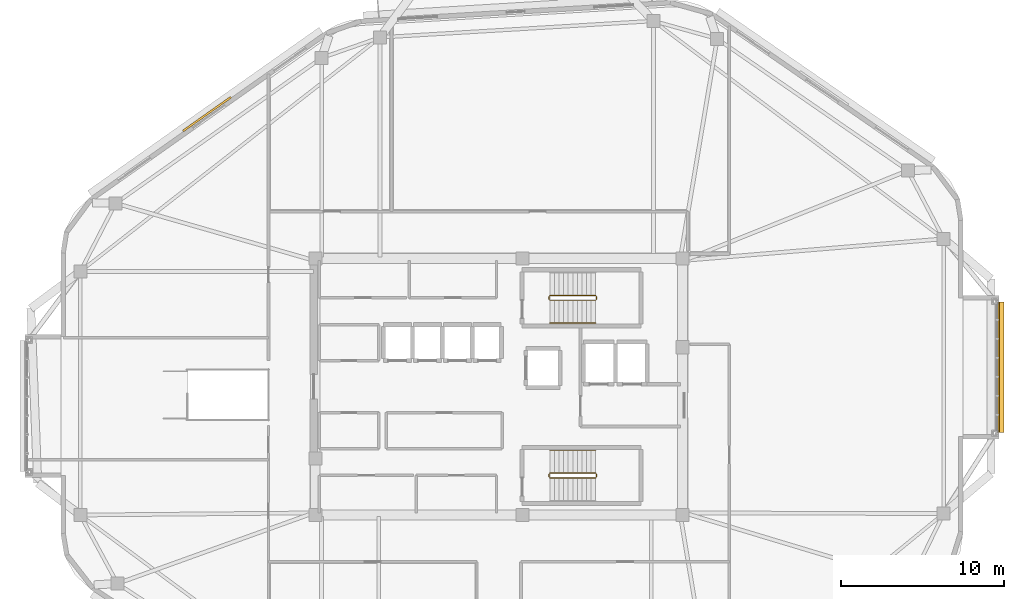
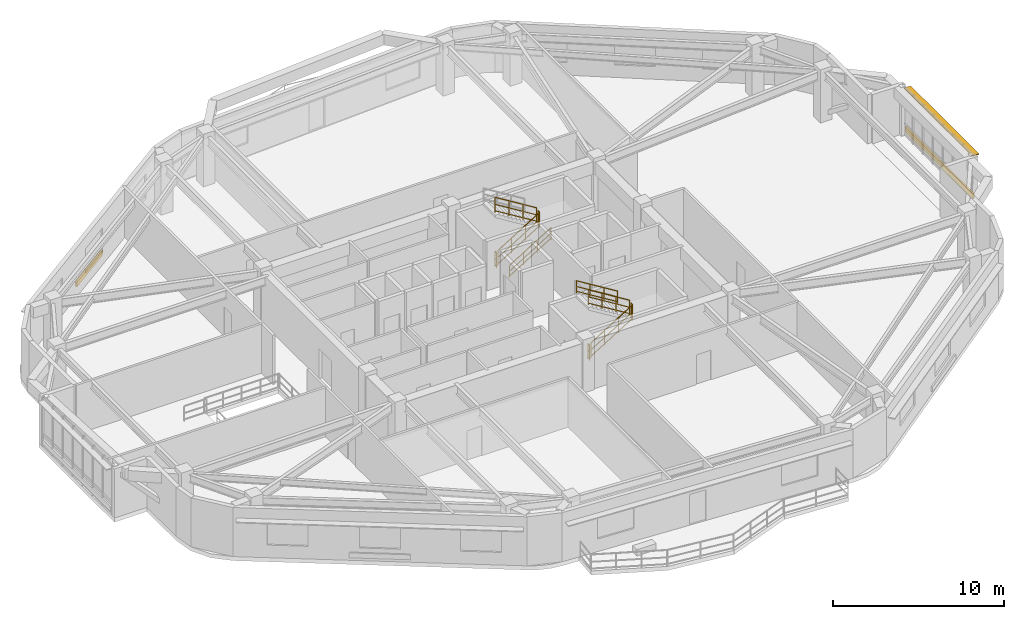
# One storey, part 15 of 16: 10 railings, 3 shading devices.
"""IFC4 building model written with IfcOpenShell, lengths in metres."""

import ifcopenshell
import ifcopenshell.guid

model = None  # the IFC model being written
_history = None  # IfcOwnerHistory: only IFC2X3 demands one
_inside = {}  # id of a spatial element -> (the spatial element, [elements in it])
_under = {}  # id of a project, library or spatial element -> (it, [spatial elements below it])
_declared = {}  # id of a project -> (the project, [libraries it declares])
_typed = {}  # id of a type object -> (the type object, [elements of that type])
_made_of = {}  # id of a material, layer set ... -> (it, [elements and type objects made of it])


def new_model(schema):
    """Start an empty IFC model of exactly this schema.

    Asked for "IFC4X3", IfcOpenShell would pick the latest addendum, in which some entities
    have other attributes; the version numbers below select the first issue.
    IFC2X3 requires an IfcOwnerHistory on every rooted entity: one is made here for all.
    """
    global model, _history
    if schema == "IFC4X3":
        model = ifcopenshell.file(schema_version=(4, 3, 0, 0))
    else:
        model = ifcopenshell.file(schema=schema)
    _inside.clear()
    _under.clear()
    _declared.clear()
    _typed.clear()
    _made_of.clear()
    _history = None
    if model.schema == "IFC2X3":
        org = make("IfcOrganization", Name="unknown")
        user = make(
            "IfcPersonAndOrganization",
            ThePerson=make("IfcPerson", FamilyName="unknown"),
            TheOrganization=org,
        )
        app = make(
            "IfcApplication",
            ApplicationDeveloper=org,
            Version="unknown",
            ApplicationFullName="unknown",
            ApplicationIdentifier="unknown",
        )
        _history = make(
            "IfcOwnerHistory",
            OwningUser=user,
            OwningApplication=app,
            ChangeAction="ADDED",
            CreationDate=0,
        )
    return model


def make(cls, **values):
    """One entity of the class cls with the attributes given. An attribute that is None is left unset."""
    return model.create_entity(
        cls, **{name: value for name, value in values.items() if value is not None}
    )


def rooted(cls, **values):
    """An entity with a GlobalId (a new one), such as an element, a storey or a relation."""
    return make(cls, GlobalId=ifcopenshell.guid.new(), OwnerHistory=_history, **values)


def si_unit(unit_type, name, prefix=None):
    """IfcSIUnit, for example si_unit("LENGTHUNIT", "METRE", prefix="MILLI")."""
    return make("IfcSIUnit", UnitType=unit_type, Prefix=prefix, Name=name)


def assignment(units):
    """IfcUnitAssignment: the units of a project."""
    return None if units is None else make("IfcUnitAssignment", Units=units)


def point(xyz):
    """IfcCartesianPoint."""
    return None if xyz is None else make("IfcCartesianPoint", Coordinates=xyz)


def direction(xyz):
    """IfcDirection."""
    return None if xyz is None else make("IfcDirection", DirectionRatios=xyz)


def frame(location, z_axis=None, x_axis=None):
    """IfcAxis2Placement3D, a coordinate frame: its origin and axes. An axis left out is left unset."""
    return make(
        "IfcAxis2Placement3D",
        Location=point(location),
        Axis=direction(z_axis),
        RefDirection=direction(x_axis),
    )


def frame_2d(location, x_axis=None):
    """IfcAxis2Placement2D, a coordinate frame in the plane: its origin and x axis."""
    return make(
        "IfcAxis2Placement2D", Location=point(location), RefDirection=direction(x_axis)
    )


def origin():
    """The frame at (0, 0, 0) with its axes left unset."""
    return frame((0.0, 0.0, 0.0))


def origin_2d():
    """The frame at (0, 0) in the plane with its x axis left unset."""
    return frame_2d((0.0, 0.0))


def place(relative_to, where):
    """IfcLocalPlacement: puts the frame where relative to a parent placement (None: the world)."""
    return make(
        "IfcLocalPlacement", PlacementRelTo=relative_to, RelativePlacement=where
    )


def context(
    kind, dimensions, precision=None, world=None, true_north=None, identifier=None
):
    """IfcGeometricRepresentationContext, for example the 3D "Model" context."""
    return make(
        "IfcGeometricRepresentationContext",
        ContextIdentifier=identifier,
        ContextType=kind,
        CoordinateSpaceDimension=dimensions,
        Precision=precision,
        WorldCoordinateSystem=world,
        TrueNorth=true_north,
    )


def subcontext(parent, identifier, kind, view, scale=None):
    """IfcGeometricRepresentationSubContext, for example "Body" below "Model"."""
    return make(
        "IfcGeometricRepresentationSubContext",
        ContextIdentifier=identifier,
        ContextType=kind,
        ParentContext=parent,
        TargetScale=scale,
        TargetView=view,
    )


def project(units=None, contexts=None):
    """IfcProject with its units and contexts."""
    return rooted(
        "IfcProject",
        Name="project",
        RepresentationContexts=contexts,
        UnitsInContext=assignment(units),
    )


def spatial(cls, under=None, at=None, **own):
    """A site, building, storey or space (cls), placed at a placement, below another one or the project."""
    s = rooted(cls, ObjectPlacement=at, **own)
    if under is not None:
        _under.setdefault(under.id(), (under, []))[1].append(s)
    return s


def profile(cls, at=None, kind="AREA", **sizes):
    """A parametric profile (cls). Its sizes go by their IFC names, for example OverallWidth=200.0."""
    return make(cls, ProfileType=kind, Position=at, **sizes)


def rectangle(**sizes):
    """IfcRectangleProfileDef."""
    return profile("IfcRectangleProfileDef", **sizes)


def extrude(swept, where, along, depth):
    """IfcExtrudedAreaSolid: the profile swept, set in the frame where, extruded along a direction by depth."""
    return make(
        "IfcExtrudedAreaSolid",
        SweptArea=swept,
        Position=where,
        ExtrudedDirection=direction(along),
        Depth=depth,
    )


def shape(context_of_items, identifier, shape_type, items):
    """IfcShapeRepresentation: the items that make up one representation, for example the "Body"."""
    return make(
        "IfcShapeRepresentation",
        ContextOfItems=context_of_items,
        RepresentationIdentifier=identifier,
        RepresentationType=shape_type,
        Items=items,
    )


def material(Name=None, Category=None):
    """IfcMaterial."""
    return make("IfcMaterial", Name=Name, Category=Category)


def layer(
    of_material, thickness, ventilated=None, Name=None, Category=None, Priority=None
):
    """IfcMaterialLayer: one layer of a wall or slab, of a material (None: an air gap)."""
    return make(
        "IfcMaterialLayer",
        Material=of_material,
        LayerThickness=thickness,
        IsVentilated=ventilated,
        Name=Name,
        Category=Category,
        Priority=Priority,
    )


def layer_set(layers, Name=None):
    """IfcMaterialLayerSet."""
    return make("IfcMaterialLayerSet", MaterialLayers=layers, LayerSetName=Name)


def made_of(thing, what):
    """Note that an element or type object is made of a material, layer set ...; save() writes the relation."""
    if what is not None:
        _made_of.setdefault(what.id(), (what, []))[1].append(thing)
    return thing


def type_object(cls, material=None, **own):
    """A type object (cls), such as IfcWallType, which elements share."""
    return made_of(rooted(cls, **own), material)


def element(
    cls,
    number,
    at=None,
    inside=None,
    cuts=None,
    type_object=None,
    material=None,
    context=None,
    identifier="Body",
    shape_type=None,
    held_by="IfcProductDefinitionShape",
    body=None,
    shapes=None,
    **own,
):
    """One element of the class cls, such as IfcWall. Its Tag is "e" and its number.

    at: its placement. inside: the storey or other place that contains it. cuts: it is an
    opening in that element (IfcRelVoidsElement). A single representation is given by context,
    identifier, shape_type and body (its items); several are given by shapes. held_by: the class
    of the entity that holds the representations. save() writes the other relations.
    """
    e = rooted(cls, Tag="e%d" % number, ObjectPlacement=at, **own)
    if body is not None:
        shapes = [shape(context, identifier, shape_type, body)]
    if shapes is not None:
        e.Representation = make(held_by, Representations=shapes)
    if inside is not None:
        _inside.setdefault(inside.id(), (inside, []))[1].append(e)
    if cuts is not None:
        rooted(
            "IfcRelVoidsElement", RelatingBuildingElement=cuts, RelatedOpeningElement=e
        )
    if type_object is not None:
        _typed.setdefault(type_object.id(), (type_object, []))[1].append(e)
    return made_of(e, material)


def aggregate(whole, parts):
    """IfcRelAggregates: a whole, such as a stair, and the parts it consists of."""
    return rooted("IfcRelAggregates", RelatingObject=whole, RelatedObjects=parts)


def save(model, path):
    """Write the relations noted so far, then the file.

    IfcRelAggregates (storeys below a building ...), IfcRelContainedInSpatialStructure (elements
    in a storey), IfcRelDefinesByType, IfcRelAssociatesMaterial and IfcRelDeclares: one each for
    every whole, place, type object, material and project.
    """
    for whole, parts in _under.values():
        aggregate(whole, parts)
    for where, things in _inside.values():
        rooted(
            "IfcRelContainedInSpatialStructure",
            RelatedElements=things,
            RelatingStructure=where,
        )
    for kind, things in _typed.values():
        rooted("IfcRelDefinesByType", RelatedObjects=things, RelatingType=kind)
    for what, things in _made_of.values():
        rooted("IfcRelAssociatesMaterial", RelatedObjects=things, RelatingMaterial=what)
    for by, libraries in _declared.values():
        rooted("IfcRelDeclares", RelatingContext=by, RelatedDefinitions=libraries)
    model.write(path)


model = new_model("IFC4")

# Units and contexts
model_context = context("Model", 3, precision=1e-05, world=origin(), true_north=direction((0.0, 1.0)))
body_context = subcontext(model_context, "Body", "Model", "MODEL_VIEW")
ifc_project = project(units=[si_unit("LENGTHUNIT", "METRE"), si_unit("AREAUNIT", "SQUARE_METRE"), si_unit("VOLUMEUNIT", "CUBIC_METRE"), si_unit("PLANEANGLEUNIT", "RADIAN"), si_unit("MASSUNIT", "GRAM", prefix="KILO")], contexts=[model_context])

# Site, building, storey
site_placement = place(None, origin())
site = spatial("IfcSite", under=ifc_project, at=site_placement, CompositionType="ELEMENT")
building_placement = place(site_placement, origin())
building = spatial("IfcBuilding", under=site, at=building_placement, Name="Zulverin Broadcast Headquarters", CompositionType="ELEMENT")
storey_placement = place(building_placement, frame((0.0, 0.0, 228.800048828125)))
storey = spatial("IfcBuildingStorey", under=building, at=storey_placement, Name="L58", CompositionType="ELEMENT", Elevation=228.800048828125)

# Railings
ifc_material_1 = material(Name="Painted galvanized steel tubular guardrail S355JR", Category="steel")
railing_type_1 = type_object("IfcRailingType", Name="RL-ST-GUARD", PredefinedType="GUARDRAIL", material=ifc_material_1)
railing_1_placement = place(storey_placement, frame((40.1298828125, 30.5, 0.172607421875)))
element("IfcRailing", 1, at=railing_1_placement, inside=storey, type_object=railing_type_1, Name="L58 ST-1 stair guard 1", PredefinedType="GUARDRAIL", context=body_context, shape_type="SweptSolid", body=[
    extrude(rectangle(XDim=0.048095703125, YDim=0.048095703125, at=origin_2d()), frame((0.0, 0.0, 1.076171875), z_axis=(0.851089632645, 0.0, 0.525020415988), x_axis=(0.0, 1.0, 0.0)), (0.0, 0.0, 1.0), 3.2900390625),
    extrude(rectangle(XDim=0.0419921875, YDim=0.0419921875, at=origin_2d()), frame((0.0, 0.0, 0.572021484375), z_axis=(0.851089632645, 0.0, 0.525020415988), x_axis=(0.0, 1.0, 0.0)), (0.0, 0.0, 1.0), 3.2900390625),
    extrude(rectangle(XDim=0.0419921875, YDim=0.0419921875, at=origin_2d()), frame((0.0, 0.0, 0.1201171875), z_axis=(0.851089632645, 0.0, 0.525020415988), x_axis=(0.0, 1.0, 0.0)), (0.0, 0.0, 1.0), 3.2900390625),
    extrude(rectangle(XDim=0.0419921875, YDim=0.0419921875, at=origin_2d()), origin(), (0.0, 0.0, 1.0), 1.052001953125),
    extrude(rectangle(XDim=0.0419921875, YDim=0.0419921875, at=origin_2d()), frame((0.933349609375, 0.0, 0.57568359375)), (0.0, 0.0, 1.0), 1.052001953125),
    extrude(rectangle(XDim=0.0419921875, YDim=0.0419921875, at=origin_2d()), frame((1.86669921875, 0.0, 1.151611328125)), (0.0, 0.0, 1.0), 1.052001953125),
    extrude(rectangle(XDim=0.0419921875, YDim=0.0419921875, at=origin_2d()), frame((2.800048828125, 0.0, 1.727294921875)), (0.0, 0.0, 1.0), 1.052001953125),
])
railing_2_placement = place(storey_placement, frame((42.97998046875, 30.550048828125, 1.89990234375)))
element("IfcRailing", 2, at=railing_2_placement, inside=storey, type_object=railing_type_1, Name="L58 ST-1 stair guard 2", PredefinedType="GUARDRAIL", context=body_context, shape_type="SweptSolid", body=[
    extrude(rectangle(XDim=0.048095703125, YDim=0.048095703125, at=origin_2d()), frame((0.0, 0.0, 1.076171875), z_axis=(0.0, 1.0, 0.0), x_axis=(-1.0, 0.0, 0.0)), (0.0, 0.0, 1.0), 0.199951171875),
    extrude(rectangle(XDim=0.0419921875, YDim=0.0419921875, at=origin_2d()), frame((0.0, 0.0, 0.572021484375), z_axis=(0.0, 1.0, 0.0), x_axis=(-1.0, 0.0, 0.0)), (0.0, 0.0, 1.0), 0.199951171875),
    extrude(rectangle(XDim=0.0419921875, YDim=0.0419921875, at=origin_2d()), frame((0.0, 0.0, 0.1201171875), z_axis=(0.0, 1.0, 0.0), x_axis=(-1.0, 0.0, 0.0)), (0.0, 0.0, 1.0), 0.199951171875),
    extrude(rectangle(XDim=0.0419921875, YDim=0.0419921875, at=origin_2d()), origin(), (0.0, 0.0, 1.0), 1.052001953125),
    extrude(rectangle(XDim=0.0419921875, YDim=0.0419921875, at=origin_2d()), frame((0.0, 0.199951171875, 0.0)), (0.0, 0.0, 1.0), 1.052001953125),
])
railing_3_placement = place(storey_placement, frame((42.929931640625, 30.800048828125, 2.07275390625)))
element("IfcRailing", 3, at=railing_3_placement, inside=storey, type_object=railing_type_1, Name="L58 ST-1 stair guard 3", PredefinedType="GUARDRAIL", context=body_context, shape_type="SweptSolid", body=[
    extrude(rectangle(XDim=0.048095703125, YDim=0.048095703125, at=origin_2d()), frame((0.0, 0.0, 1.076171875), z_axis=(-0.851089632645, 0.0, 0.525020415988), x_axis=(0.0, -1.0, 0.0)), (0.0, 0.0, 1.0), 3.2900390625),
    extrude(rectangle(XDim=0.0419921875, YDim=0.0419921875, at=origin_2d()), frame((0.0, 0.0, 0.572021484375), z_axis=(-0.851089632645, 0.0, 0.525020415988), x_axis=(0.0, -1.0, 0.0)), (0.0, 0.0, 1.0), 3.2900390625),
    extrude(rectangle(XDim=0.0419921875, YDim=0.0419921875, at=origin_2d()), frame((0.0, 0.0, 0.1201171875), z_axis=(-0.851089632645, 0.0, 0.525020415988), x_axis=(0.0, -1.0, 0.0)), (0.0, 0.0, 1.0), 3.2900390625),
    extrude(rectangle(XDim=0.0419921875, YDim=0.0419921875, at=origin_2d()), origin(), (0.0, 0.0, 1.0), 1.052001953125),
    extrude(rectangle(XDim=0.0419921875, YDim=0.0419921875, at=origin_2d()), frame((-0.933349609375, 0.0, 0.57568359375)), (0.0, 0.0, 1.0), 1.052001953125),
    extrude(rectangle(XDim=0.0419921875, YDim=0.0419921875, at=origin_2d()), frame((-1.86669921875, 0.0, 1.151611328125)), (0.0, 0.0, 1.0), 1.052001953125),
    extrude(rectangle(XDim=0.0419921875, YDim=0.0419921875, at=origin_2d()), frame((-2.800048828125, 0.0, 1.727294921875)), (0.0, 0.0, 1.0), 1.052001953125),
])
railing_4_placement = place(storey_placement, frame((40.080078125, 30.550048828125, 0.0)))
element("IfcRailing", 4, at=railing_4_placement, inside=storey, type_object=railing_type_1, Name="L58 ST-1 stair guard 4", PredefinedType="GUARDRAIL", context=body_context, shape_type="SweptSolid", body=[
    extrude(rectangle(XDim=0.048095703125, YDim=0.048095703125, at=origin_2d()), frame((0.0, 0.0, 1.076171875), z_axis=(0.0, 1.0, 0.0), x_axis=(-1.0, 0.0, 0.0)), (0.0, 0.0, 1.0), 0.199951171875),
    extrude(rectangle(XDim=0.0419921875, YDim=0.0419921875, at=origin_2d()), frame((0.0, 0.0, 0.572021484375), z_axis=(0.0, 1.0, 0.0), x_axis=(-1.0, 0.0, 0.0)), (0.0, 0.0, 1.0), 0.199951171875),
    extrude(rectangle(XDim=0.0419921875, YDim=0.0419921875, at=origin_2d()), frame((0.0, 0.0, 0.1201171875), z_axis=(0.0, 1.0, 0.0), x_axis=(-1.0, 0.0, 0.0)), (0.0, 0.0, 1.0), 0.199951171875),
    extrude(rectangle(XDim=0.0419921875, YDim=0.0419921875, at=origin_2d()), origin(), (0.0, 0.0, 1.0), 1.052001953125),
    extrude(rectangle(XDim=0.0419921875, YDim=0.0419921875, at=origin_2d()), frame((0.0, 0.199951171875, 0.0)), (0.0, 0.0, 1.0), 1.052001953125),
])
railing_5_placement = place(storey_placement, frame((40.1298828125, 19.60009765625, 0.172607421875)))
element("IfcRailing", 5, at=railing_5_placement, inside=storey, type_object=railing_type_1, Name="L58 ST-2 stair guard 1", PredefinedType="GUARDRAIL", context=body_context, shape_type="SweptSolid", body=[
    extrude(rectangle(XDim=0.048095703125, YDim=0.048095703125, at=origin_2d()), frame((0.0, 0.0, 1.076171875), z_axis=(0.851089632645, 0.0, 0.525020415988), x_axis=(0.0, 1.0, 0.0)), (0.0, 0.0, 1.0), 3.2900390625),
    extrude(rectangle(XDim=0.0419921875, YDim=0.0419921875, at=origin_2d()), frame((0.0, 0.0, 0.572021484375), z_axis=(0.851089632645, 0.0, 0.525020415988), x_axis=(0.0, 1.0, 0.0)), (0.0, 0.0, 1.0), 3.2900390625),
    extrude(rectangle(XDim=0.0419921875, YDim=0.0419921875, at=origin_2d()), frame((0.0, 0.0, 0.1201171875), z_axis=(0.851089632645, 0.0, 0.525020415988), x_axis=(0.0, 1.0, 0.0)), (0.0, 0.0, 1.0), 3.2900390625),
    extrude(rectangle(XDim=0.0419921875, YDim=0.0419921875, at=origin_2d()), origin(), (0.0, 0.0, 1.0), 1.052001953125),
    extrude(rectangle(XDim=0.0419921875, YDim=0.0419921875, at=origin_2d()), frame((0.933349609375, 0.0, 0.57568359375)), (0.0, 0.0, 1.0), 1.052001953125),
    extrude(rectangle(XDim=0.0419921875, YDim=0.0419921875, at=origin_2d()), frame((1.86669921875, 0.0, 1.151611328125)), (0.0, 0.0, 1.0), 1.052001953125),
    extrude(rectangle(XDim=0.0419921875, YDim=0.0419921875, at=origin_2d()), frame((2.800048828125, 0.0, 1.727294921875)), (0.0, 0.0, 1.0), 1.052001953125),
])
railing_6_placement = place(storey_placement, frame((42.97998046875, 19.64990234375, 1.89990234375)))
element("IfcRailing", 6, at=railing_6_placement, inside=storey, type_object=railing_type_1, Name="L58 ST-2 stair guard 2", PredefinedType="GUARDRAIL", context=body_context, shape_type="SweptSolid", body=[
    extrude(rectangle(XDim=0.048095703125, YDim=0.048095703125, at=origin_2d()), frame((0.0, 0.0, 1.076171875), z_axis=(0.0, 1.0, 0.0), x_axis=(-1.0, 0.0, 0.0)), (0.0, 0.0, 1.0), 0.2001953125),
    extrude(rectangle(XDim=0.0419921875, YDim=0.0419921875, at=origin_2d()), frame((0.0, 0.0, 0.572021484375), z_axis=(0.0, 1.0, 0.0), x_axis=(-1.0, 0.0, 0.0)), (0.0, 0.0, 1.0), 0.2001953125),
    extrude(rectangle(XDim=0.0419921875, YDim=0.0419921875, at=origin_2d()), frame((0.0, 0.0, 0.1201171875), z_axis=(0.0, 1.0, 0.0), x_axis=(-1.0, 0.0, 0.0)), (0.0, 0.0, 1.0), 0.2001953125),
    extrude(rectangle(XDim=0.0419921875, YDim=0.0419921875, at=origin_2d()), origin(), (0.0, 0.0, 1.0), 1.052001953125),
    extrude(rectangle(XDim=0.0419921875, YDim=0.0419921875, at=origin_2d()), frame((0.0, 0.2001953125, 0.0)), (0.0, 0.0, 1.0), 1.052001953125),
])
railing_7_placement = place(storey_placement, frame((42.929931640625, 19.89990234375, 2.07275390625)))
element("IfcRailing", 7, at=railing_7_placement, inside=storey, type_object=railing_type_1, Name="L58 ST-2 stair guard 3", PredefinedType="GUARDRAIL", context=body_context, shape_type="SweptSolid", body=[
    extrude(rectangle(XDim=0.048095703125, YDim=0.048095703125, at=origin_2d()), frame((0.0, 0.0, 1.076171875), z_axis=(-0.851089632645, 0.0, 0.525020415988), x_axis=(0.0, -1.0, 0.0)), (0.0, 0.0, 1.0), 3.2900390625),
    extrude(rectangle(XDim=0.0419921875, YDim=0.0419921875, at=origin_2d()), frame((0.0, 0.0, 0.572021484375), z_axis=(-0.851089632645, 0.0, 0.525020415988), x_axis=(0.0, -1.0, 0.0)), (0.0, 0.0, 1.0), 3.2900390625),
    extrude(rectangle(XDim=0.0419921875, YDim=0.0419921875, at=origin_2d()), frame((0.0, 0.0, 0.1201171875), z_axis=(-0.851089632645, 0.0, 0.525020415988), x_axis=(0.0, -1.0, 0.0)), (0.0, 0.0, 1.0), 3.2900390625),
    extrude(rectangle(XDim=0.0419921875, YDim=0.0419921875, at=origin_2d()), origin(), (0.0, 0.0, 1.0), 1.052001953125),
    extrude(rectangle(XDim=0.0419921875, YDim=0.0419921875, at=origin_2d()), frame((-0.933349609375, 0.0, 0.57568359375)), (0.0, 0.0, 1.0), 1.052001953125),
    extrude(rectangle(XDim=0.0419921875, YDim=0.0419921875, at=origin_2d()), frame((-1.86669921875, 0.0, 1.151611328125)), (0.0, 0.0, 1.0), 1.052001953125),
    extrude(rectangle(XDim=0.0419921875, YDim=0.0419921875, at=origin_2d()), frame((-2.800048828125, 0.0, 1.727294921875)), (0.0, 0.0, 1.0), 1.052001953125),
])
railing_8_placement = place(storey_placement, frame((40.080078125, 19.64990234375, 0.0)))
element("IfcRailing", 8, at=railing_8_placement, inside=storey, type_object=railing_type_1, Name="L58 ST-2 stair guard 4", PredefinedType="GUARDRAIL", context=body_context, shape_type="SweptSolid", body=[
    extrude(rectangle(XDim=0.048095703125, YDim=0.048095703125, at=origin_2d()), frame((0.0, 0.0, 1.076171875), z_axis=(0.0, 1.0, 0.0), x_axis=(-1.0, 0.0, 0.0)), (0.0, 0.0, 1.0), 0.2001953125),
    extrude(rectangle(XDim=0.0419921875, YDim=0.0419921875, at=origin_2d()), frame((0.0, 0.0, 0.572021484375), z_axis=(0.0, 1.0, 0.0), x_axis=(-1.0, 0.0, 0.0)), (0.0, 0.0, 1.0), 0.2001953125),
    extrude(rectangle(XDim=0.0419921875, YDim=0.0419921875, at=origin_2d()), frame((0.0, 0.0, 0.1201171875), z_axis=(0.0, 1.0, 0.0), x_axis=(-1.0, 0.0, 0.0)), (0.0, 0.0, 1.0), 0.2001953125),
    extrude(rectangle(XDim=0.0419921875, YDim=0.0419921875, at=origin_2d()), origin(), (0.0, 0.0, 1.0), 1.052001953125),
    extrude(rectangle(XDim=0.0419921875, YDim=0.0419921875, at=origin_2d()), frame((0.0, 0.2001953125, 0.0)), (0.0, 0.0, 1.0), 1.052001953125),
])
ifc_material_2 = material(Name="Brushed stainless steel 48 mm handrail", Category="steel")
railing_type_2 = type_object("IfcRailingType", Name="RL-ST-HAND", PredefinedType="HANDRAIL", material=ifc_material_2)
railing_9_placement = place(storey_placement, frame((40.1298828125, 29.10009765625, 0.172607421875)))
element("IfcRailing", 9, at=railing_9_placement, inside=storey, type_object=railing_type_2, Name="L58 ST-1 stair handrail 1", PredefinedType="HANDRAIL", context=body_context, shape_type="SweptSolid", body=[
    extrude(rectangle(XDim=0.048095703125, YDim=0.048095703125, at=origin_2d()), frame((0.0, 0.0, 0.8759765625), z_axis=(0.851089632645, 0.0, 0.525020415988), x_axis=(0.0, 1.0, 0.0)), (0.0, 0.0, 1.0), 3.2900390625),
    extrude(rectangle(XDim=0.0419921875, YDim=0.0419921875, at=origin_2d()), frame((0.0, 0.0, 0.468017578125), z_axis=(0.851089632645, 0.0, 0.525020415988), x_axis=(0.0, 1.0, 0.0)), (0.0, 0.0, 1.0), 3.2900390625),
    extrude(rectangle(XDim=0.0419921875, YDim=0.0419921875, at=origin_2d()), frame((0.0, 0.0, 0.1201171875), z_axis=(0.851089632645, 0.0, 0.525020415988), x_axis=(0.0, 1.0, 0.0)), (0.0, 0.0, 1.0), 3.2900390625),
    extrude(rectangle(XDim=0.0419921875, YDim=0.0419921875, at=origin_2d()), origin(), (0.0, 0.0, 1.0), 0.851806640625),
    extrude(rectangle(XDim=0.0419921875, YDim=0.0419921875, at=origin_2d()), frame((0.933349609375, 0.0, 0.57568359375)), (0.0, 0.0, 1.0), 0.851806640625),
    extrude(rectangle(XDim=0.0419921875, YDim=0.0419921875, at=origin_2d()), frame((1.86669921875, 0.0, 1.151611328125)), (0.0, 0.0, 1.0), 0.851806640625),
    extrude(rectangle(XDim=0.0419921875, YDim=0.0419921875, at=origin_2d()), frame((2.800048828125, 0.0, 1.727294921875)), (0.0, 0.0, 1.0), 0.851806640625),
])
railing_10_placement = place(storey_placement, frame((42.929931640625, 21.300048828125, 2.07275390625)))
element("IfcRailing", 10, at=railing_10_placement, inside=storey, type_object=railing_type_2, Name="L58 ST-2 stair handrail 2", PredefinedType="HANDRAIL", context=body_context, shape_type="SweptSolid", body=[
    extrude(rectangle(XDim=0.048095703125, YDim=0.048095703125, at=origin_2d()), frame((0.0, 0.0, 0.8759765625), z_axis=(-0.851089632645, 0.0, 0.525020415988), x_axis=(0.0, -1.0, 0.0)), (0.0, 0.0, 1.0), 3.2900390625),
    extrude(rectangle(XDim=0.0419921875, YDim=0.0419921875, at=origin_2d()), frame((0.0, 0.0, 0.468017578125), z_axis=(-0.851089632645, 0.0, 0.525020415988), x_axis=(0.0, -1.0, 0.0)), (0.0, 0.0, 1.0), 3.2900390625),
    extrude(rectangle(XDim=0.0419921875, YDim=0.0419921875, at=origin_2d()), frame((0.0, 0.0, 0.1201171875), z_axis=(-0.851089632645, 0.0, 0.525020415988), x_axis=(0.0, -1.0, 0.0)), (0.0, 0.0, 1.0), 3.2900390625),
    extrude(rectangle(XDim=0.0419921875, YDim=0.0419921875, at=origin_2d()), origin(), (0.0, 0.0, 1.0), 0.851806640625),
    extrude(rectangle(XDim=0.0419921875, YDim=0.0419921875, at=origin_2d()), frame((-0.933349609375, 0.0, 0.57568359375)), (0.0, 0.0, 1.0), 0.851806640625),
    extrude(rectangle(XDim=0.0419921875, YDim=0.0419921875, at=origin_2d()), frame((-1.86669921875, 0.0, 1.151611328125)), (0.0, 0.0, 1.0), 0.851806640625),
    extrude(rectangle(XDim=0.0419921875, YDim=0.0419921875, at=origin_2d()), frame((-2.800048828125, 0.0, 1.727294921875)), (0.0, 0.0, 1.0), 0.851806640625),
])

# Shading devices
ifc_material_3 = material(Name="Anodized pale-metal aluminium acoustic louvre", Category="aluminium")
shading_device_type_1 = type_object("IfcShadingDeviceType", Name="SHD-LOUVRE-350", PredefinedType="USERDEFINED", material=ifc_material_3)
shading_device_1_placement = place(storey_placement, frame((19.076171875, 41.933837890625, 0.244873046875), z_axis=(0.0, 0.0, 1.0), x_axis=(-0.817023146348, -0.576604871929, 0.0)))
element("IfcShadingDevice", 11, at=shading_device_1_placement, inside=storey, type_object=shading_device_type_1, Name="L58 Spandrel Intake Louvre 6", ObjectType="LOUVRE", PredefinedType="USERDEFINED", context=body_context, shape_type="SweptSolid", body=[
    extrude(rectangle(XDim=3.60009765625, YDim=0.1201171875, at=origin_2d()), origin(), (0.0, 0.0, 1.0), 0.35009765625),
])
shading_device_2_placement = place(storey_placement, frame((67.659912109375, 26.389892578125, 0.224853515625), z_axis=(0.0, 0.0, 1.0), x_axis=(0.0, 1.0, 0.0)))
element("IfcShadingDevice", 12, at=shading_device_2_placement, inside=storey, type_object=shading_device_type_1, Name="L58 Pale-Metal Acoustic Louvre Screen CW-L58-SBOX_SKY2_E-F", ObjectType="LOUVRE", PredefinedType="USERDEFINED", context=body_context, shape_type="SweptSolid", body=[
    extrude(rectangle(XDim=7.93994140625, YDim=0.1201171875, at=origin_2d()), origin(), (0.0, 0.0, 1.0), 0.35009765625),
])
ifc_material_4 = material(Name="Anodized pale-metal aluminium sunshade", Category="aluminium")
ifc_layer = layer(ifc_material_4, 0.06005859375, Name="Anodized pale-metal aluminium sunshade", Category="aluminium")
ifc_layer_set = layer_set([ifc_layer], Name="Anodized pale-metal aluminium sunshade")
shading_device_type_2 = type_object("IfcShadingDeviceType", Name="SS-01_PALE_METAL_ALUMINIUM_SUNSHADE", PredefinedType="USERDEFINED", material=ifc_layer_set)
shading_device_3_placement = place(storey_placement, frame((67.780029296875, 26.389892578125, 3.280029296875), z_axis=(0.0, 0.0, 1.0), x_axis=(0.0, 1.0, 0.0)))
element("IfcShadingDevice", 13, at=shading_device_3_placement, inside=storey, type_object=shading_device_type_2, Name="L58 Pale-Metal Horizontal Sunshade Band CW-L58-SBOX_SKY2_E-F", ObjectType="SUNSHADE", PredefinedType="USERDEFINED", context=body_context, shape_type="SweptSolid", body=[
    extrude(rectangle(XDim=8.02001953125, YDim=0.449951171875, at=origin_2d()), origin(), (0.0, 0.0, 1.0), 0.06005859375),
])

save(model, "model.ifc")
